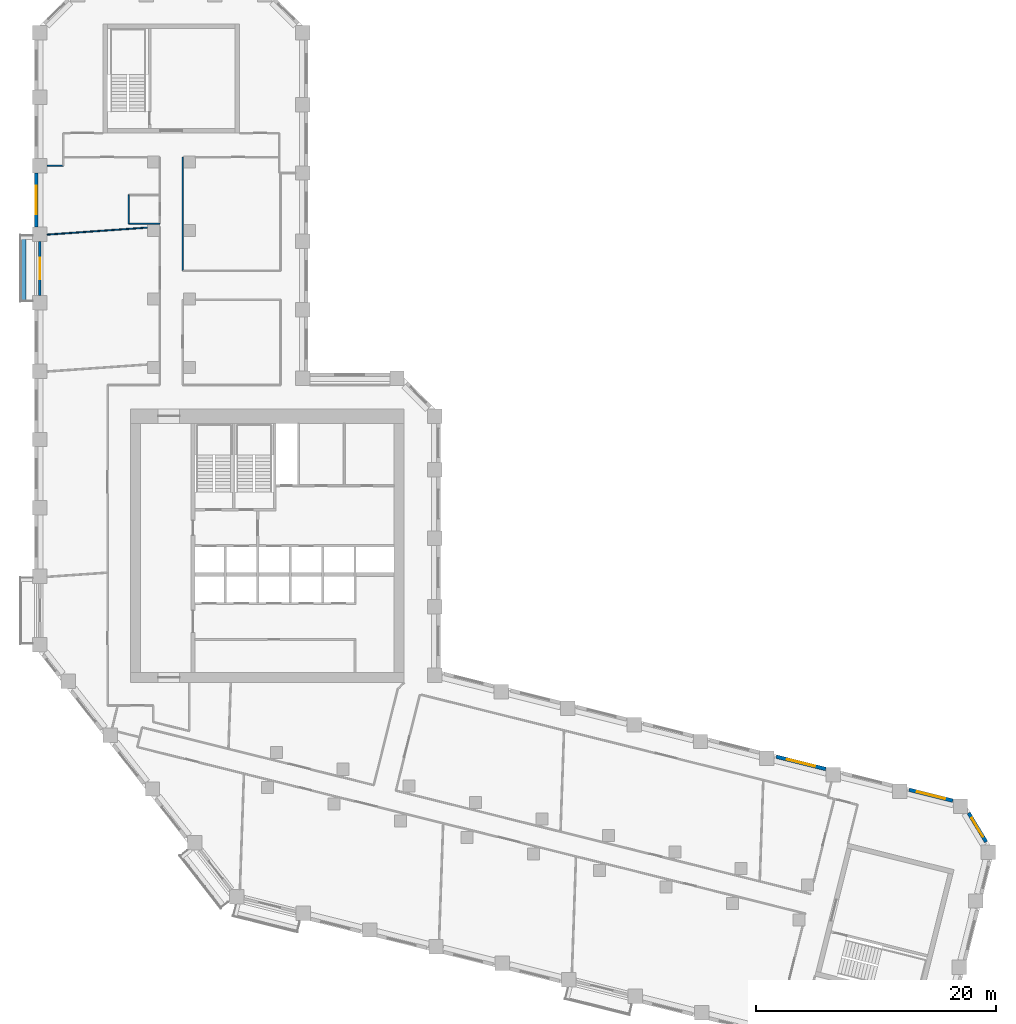
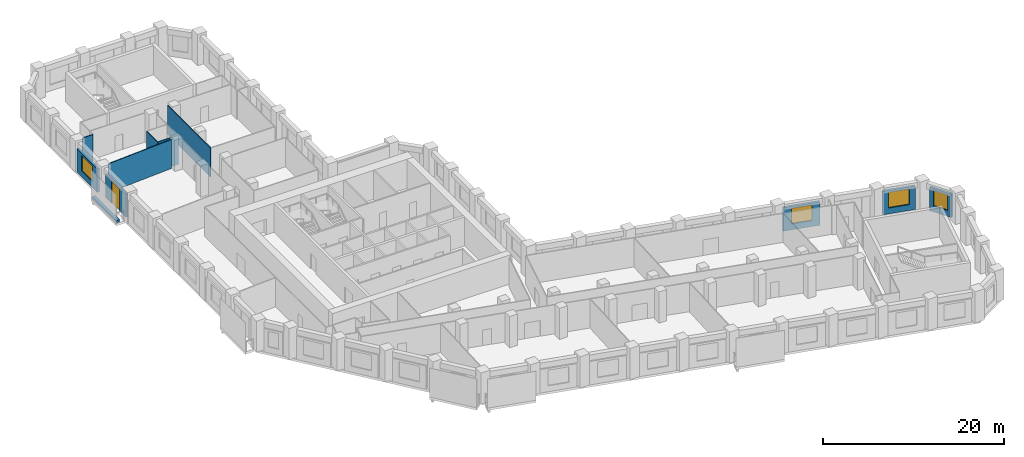
# One storey, part 7 of 10: 11 walls, 4 windows, 1 door, 5 openings.
"""IFC4 building model written with IfcOpenShell, lengths in metres."""

from ifc_helpers import new_model, si_unit, direction, frame, frame_2d, origin, place, context, subcontext, project, spatial, rectangle, extrude, material, layer, layer_set, type_object, element, fill, save


model = new_model("IFC4")

# Units and contexts
model_context = context("Model", 3, precision=1e-05, world=origin(), true_north=direction((0.0, 1.0)))
body_context = subcontext(model_context, "Body", "Model", "MODEL_VIEW")
ifc_project = project(units=[si_unit("LENGTHUNIT", "METRE"), si_unit("AREAUNIT", "SQUARE_METRE"), si_unit("VOLUMEUNIT", "CUBIC_METRE"), si_unit("PLANEANGLEUNIT", "RADIAN"), si_unit("MASSUNIT", "GRAM", prefix="KILO")], contexts=[model_context])

# Site, building, storey
site_placement = place(None, origin())
site = spatial("IfcSite", under=ifc_project, at=site_placement, CompositionType="ELEMENT")
building_placement = place(site_placement, origin())
building = spatial("IfcBuilding", under=site, at=building_placement, Name="Meshkara Civic Tower", CompositionType="ELEMENT")
storey_placement = place(building_placement, frame((0.0, 0.0, 169.800048828125)))
storey = spatial("IfcBuildingStorey", under=building, at=storey_placement, Name="L38", CompositionType="ELEMENT", Elevation=169.800048828125)

# Wall
ifc_material_1 = material(Name="Corridor wall 100")
ifc_layer_1 = layer(ifc_material_1, 0.10009765625)
ifc_layer_set_1 = layer_set([ifc_layer_1], Name="Corridor wall 100")
wall_type_1 = type_object("IfcWallType", Name="Corridor wall 100", PredefinedType="PARTITIONING", material=ifc_layer_set_1)
wall_1_placement = place(storey_placement, frame((12.35009765625, 48.39990234375, 0.0), z_axis=(0.0, 0.0, 1.0), x_axis=(0.0, 1.0, 0.0)))
element("IfcWall", 1, at=wall_1_placement, inside=storey, type_object=wall_type_1, Name="L38-W015", PredefinedType="PARTITIONING", context=body_context, shape_type="SweptSolid", body=[
    extrude(rectangle(XDim=9.47021484375, YDim=0.10009765625, at=frame_2d((4.735107421875, 0.0))), origin(), (0.0, 0.0, 1.0), 3.89990234375),
])

# Wall, opening, window
ifc_material_2 = material(Name="Insulated infill panel with bronze anodised aluminium cladding", Category="aluminium")
ifc_layer_2 = layer(ifc_material_2, 0.300048828125)
ifc_layer_set_2 = layer_set([ifc_layer_2], Name="EXTERNAL INFILL WALL 300")
wall_type_2 = type_object("IfcWallType", Name="EXTERNAL INFILL WALL 300", PredefinedType="SOLIDWALL", material=ifc_layer_set_2)
wall_2_placement = place(storey_placement, frame((76.491943359375, 4.27197265625, 0.0), z_axis=(0.0, 0.0, 1.0), x_axis=(-0.970348377394, 0.241710625521, 0.0)))
wall_2 = element("IfcWall", 2, at=wall_2_placement, inside=storey, type_object=wall_type_2, Name="External wall", PredefinedType="SOLIDWALL", context=body_context, shape_type="SweptSolid", body=[
    extrude(rectangle(XDim=3.760498046875, YDim=0.300048828125, at=frame_2d((1.88037109375, 0.0))), origin(), (0.0, 0.0, 1.0), 3.14990234375),
])
opening_1_placement = place(wall_2_placement, frame((0.679931640625, 0.0, 0.800048828125)))
opening_1 = element("IfcOpeningElement", 3, at=opening_1_placement, cuts=wall_2, Name="Opening W7", PredefinedType="OPENING", context=body_context, shape_type="SweptSolid", body=[
    extrude(rectangle(XDim=2.39990234375, YDim=2.10009765625, at=frame_2d((1.199951171875, 1.050048828125))), frame((0.0, 0.159912109375, 0.0), z_axis=(0.0, -1.0, 0.0), x_axis=(1.0, 0.0, 0.0)), (0.0, 0.0, 1.0), 0.320068359375),
])
ifc_material_3 = material(Name="Tinted double glazing", Category="glass")
window_type_1 = type_object("IfcWindowType", Name="WINDOW 2400x2100", PartitioningType="DOUBLE_PANEL_VERTICAL", PredefinedType="WINDOW", material=ifc_material_3)
window_1_placement = place(opening_1_placement, origin())
window_1 = element("IfcWindow", 4, at=window_1_placement, inside=storey, type_object=window_type_1, Name="Window", OverallHeight=2.10009765625, OverallWidth=2.39990234375, PartitioningType="DOUBLE_PANEL_VERTICAL", PredefinedType="WINDOW", context=body_context, shape_type="SweptSolid", body=[
    extrude(rectangle(XDim=2.39990234375, YDim=2.10009765625, at=frame_2d((1.199951171875, 1.050048828125))), frame((0.0, 0.030029296875, 0.0), z_axis=(0.0, -1.0, 0.0), x_axis=(1.0, 0.0, 0.0)), (0.0, 0.0, 1.0), 0.06005859375),
])
fill(opening_1, window_1)

wall_3_placement = place(storey_placement, frame((65.90087890625, 6.912109375, 0.0), z_axis=(0.0, 0.0, 1.0), x_axis=(-0.970260760633, 0.242062091986, 0.0)))
wall_3 = element("IfcWall", 5, at=wall_3_placement, inside=storey, type_object=wall_type_2, Name="External wall", PredefinedType="SOLIDWALL", context=body_context, shape_type="SweptSolid", body=[
    extrude(rectangle(XDim=4.24609375, YDim=0.300048828125, at=frame_2d((2.123046875, 0.0))), origin(), (0.0, 0.0, 1.0), 3.14990234375),
])
opening_2_placement = place(wall_3_placement, frame((0.923095703125, 0.0, 0.800048828125)))
opening_2 = element("IfcOpeningElement", 6, at=opening_2_placement, cuts=wall_3, Name="Opening W7", PredefinedType="OPENING", context=body_context, shape_type="SweptSolid", body=[
    extrude(rectangle(XDim=2.39990234375, YDim=2.10009765625, at=frame_2d((1.199951171875, 1.050048828125))), frame((0.0, 0.159912109375, 0.0), z_axis=(0.0, -1.0, 0.0), x_axis=(1.0, 0.0, 0.0)), (0.0, 0.0, 1.0), 0.320068359375),
])
window_2_placement = place(opening_2_placement, origin())
window_2 = element("IfcWindow", 7, at=window_2_placement, inside=storey, type_object=window_type_1, Name="Window", OverallHeight=2.10009765625, OverallWidth=2.39990234375, PartitioningType="DOUBLE_PANEL_VERTICAL", PredefinedType="WINDOW", context=body_context, shape_type="SweptSolid", body=[
    extrude(rectangle(XDim=2.39990234375, YDim=2.10009765625, at=frame_2d((1.199951171875, 1.050048828125))), frame((0.0, 0.030029296875, 0.0), z_axis=(0.0, -1.0, 0.0), x_axis=(1.0, 0.0, 0.0)), (0.0, 0.0, 1.0), 0.06005859375),
])
fill(opening_2, window_2)

wall_4_placement = place(storey_placement, frame((0.14990234375, 56.554931640625, 0.0), z_axis=(0.0, 0.0, 1.0), x_axis=(0.0, -1.0, 0.0)))
wall_4 = element("IfcWall", 8, at=wall_4_placement, inside=storey, type_object=wall_type_2, Name="External wall", PredefinedType="SOLIDWALL", context=body_context, shape_type="SweptSolid", body=[
    extrude(rectangle(XDim=4.5, YDim=0.300048828125, at=frame_2d((2.25, 0.0))), origin(), (0.0, 0.0, 1.0), 3.14990234375),
])
opening_3_placement = place(wall_4_placement, frame((1.050048828125, 0.0, 0.800048828125)))
opening_3 = element("IfcOpeningElement", 9, at=opening_3_placement, cuts=wall_4, Name="Opening W7", PredefinedType="OPENING", context=body_context, shape_type="SweptSolid", body=[
    extrude(rectangle(XDim=2.39990234375, YDim=2.10009765625, at=frame_2d((1.199951171875, 1.050048828125))), frame((0.0, 0.159912109375, 0.0), z_axis=(0.0, -1.0, 0.0), x_axis=(1.0, 0.0, 0.0)), (0.0, 0.0, 1.0), 0.320068359375),
])
window_3_placement = place(opening_3_placement, origin())
window_3 = element("IfcWindow", 10, at=window_3_placement, inside=storey, type_object=window_type_1, Name="Window", OverallHeight=2.10009765625, OverallWidth=2.39990234375, PartitioningType="DOUBLE_PANEL_VERTICAL", PredefinedType="WINDOW", context=body_context, shape_type="SweptSolid", body=[
    extrude(rectangle(XDim=2.39990234375, YDim=2.10009765625, at=frame_2d((1.199951171875, 1.050048828125))), frame((0.0, 0.030029296875, 0.0), z_axis=(0.0, -1.0, 0.0), x_axis=(1.0, 0.0, 0.0)), (0.0, 0.0, 1.0), 0.06005859375),
])
fill(opening_3, window_3)

wall_5_placement = place(storey_placement, frame((79.257080078125, 0.839111328125, 0.0), z_axis=(0.0, 0.0, 1.0), x_axis=(-0.514992914014, 0.857194434487, 0.0)))
wall_5 = element("IfcWall", 11, at=wall_5_placement, inside=storey, type_object=wall_type_2, Name="External wall", PredefinedType="SOLIDWALL", context=body_context, shape_type="SweptSolid", body=[
    extrude(rectangle(XDim=2.81591796875, YDim=0.300048828125, at=frame_2d((1.407958984375, 0.0))), origin(), (0.0, 0.0, 1.0), 3.14990234375),
])
opening_4_placement = place(wall_5_placement, frame((0.508056640625, 0.0, 0.800048828125)))
opening_4 = element("IfcOpeningElement", 12, at=opening_4_placement, cuts=wall_5, Name="Opening W9", PredefinedType="OPENING", context=body_context, shape_type="SweptSolid", body=[
    extrude(rectangle(XDim=1.800048828125, YDim=2.10009765625, at=frame_2d((0.89990234375, 1.050048828125))), frame((0.0, 0.159912109375, 0.0), z_axis=(0.0, -1.0, 0.0), x_axis=(1.0, 0.0, 0.0)), (0.0, 0.0, 1.0), 0.320068359375),
])
ifc_material_4 = material(Name="Tinted double glazing", Category="glass")
window_type_2 = type_object("IfcWindowType", Name="WINDOW 1800x2100", PartitioningType="DOUBLE_PANEL_VERTICAL", PredefinedType="WINDOW", material=ifc_material_4)
window_4_placement = place(opening_4_placement, origin())
window_4 = element("IfcWindow", 13, at=window_4_placement, inside=storey, type_object=window_type_2, Name="Window", OverallHeight=2.10009765625, OverallWidth=1.800048828125, PartitioningType="DOUBLE_PANEL_VERTICAL", PredefinedType="WINDOW", context=body_context, shape_type="SweptSolid", body=[
    extrude(rectangle(XDim=1.800048828125, YDim=2.10009765625, at=frame_2d((0.89990234375, 1.050048828125))), frame((0.0, 0.030029296875, 0.0), z_axis=(0.0, -1.0, 0.0), x_axis=(1.0, 0.0, 0.0)), (0.0, 0.0, 1.0), 0.06005859375),
])
fill(opening_4, window_4)

# Wall, opening, door
ifc_material_5 = material(Name="Insulated infill panel with bronze anodised aluminium cladding", Category="aluminium")
ifc_layer_3 = layer(ifc_material_5, 0.199951171875)
ifc_layer_set_3 = layer_set([ifc_layer_3], Name="LOGGIA BACK WALL 200")
wall_type_3 = type_object("IfcWallType", Name="LOGGIA BACK WALL 200", PredefinedType="SOLIDWALL", material=ifc_layer_set_3)
wall_6_placement = place(storey_placement, frame((0.449951171875, 50.85498046875, 0.0), z_axis=(0.0, 0.0, 1.0), x_axis=(0.0, -1.0, 0.0)))
wall_6 = element("IfcWall", 14, at=wall_6_placement, inside=storey, type_object=wall_type_3, Name="Loggia wall", PredefinedType="SOLIDWALL", context=body_context, shape_type="SweptSolid", body=[
    extrude(rectangle(XDim=4.4990234375, YDim=0.199951171875, at=frame_2d((2.24951171875, 0.0))), origin(), (0.0, 0.0, 1.0), 3.14990234375),
])
opening_5_placement = place(wall_6_placement, frame((1.34912109375, 0.0, 0.0)))
opening_5 = element("IfcOpeningElement", 15, at=opening_5_placement, cuts=wall_6, Name="Opening L38-L001", PredefinedType="OPENING", context=body_context, shape_type="SweptSolid", body=[
    extrude(rectangle(XDim=1.800048828125, YDim=2.89990234375, at=frame_2d((0.89990234375, 1.449951171875))), frame((0.0, 0.10986328125, 0.0), z_axis=(0.0, -1.0, 0.0), x_axis=(1.0, 0.0, 0.0)), (0.0, 0.0, 1.0), 0.219970703125),
])
ifc_material_6 = material(Name="Tinted double glazing", Category="glass")
door_type = type_object("IfcDoorType", Name="LOGGIA DOOR 1800x2900", OperationType="DOUBLE_DOOR_SINGLE_SWING", PredefinedType="DOOR", material=ifc_material_6)
door_placement = place(opening_5_placement, origin())
door = element("IfcDoor", 16, at=door_placement, inside=storey, type_object=door_type, Name="L38-L001", OperationType="DOUBLE_DOOR_SINGLE_SWING", OverallHeight=2.89990234375, OverallWidth=1.800048828125, PredefinedType="DOOR", context=body_context, shape_type="SweptSolid", body=[
    extrude(rectangle(XDim=1.800048828125, YDim=2.89990234375, at=frame_2d((0.89990234375, 1.449951171875))), frame((0.0, 0.02490234375, 0.0), z_axis=(0.0, -1.0, 0.0), x_axis=(1.0, 0.0, 0.0)), (0.0, 0.0, 1.0), 0.050048828125),
])
fill(opening_5, door)

# Walls
ifc_material_7 = material(Name="Concrete C40", Category="concrete")
ifc_layer_4 = layer(ifc_material_7, 0.39990234375)
ifc_layer_set_4 = layer_set([ifc_layer_4], Name="PLANTER TRAY")
wall_type_4 = type_object("IfcWallType", Name="PLANTER TRAY", PredefinedType="SOLIDWALL", material=ifc_layer_set_4)
wall_7_placement = place(storey_placement, frame((-0.8798828125, 51.284912109375, 0.0), z_axis=(0.0, 0.0, 1.0), x_axis=(0.0, -1.0, 0.0)))
element("IfcWall", 17, at=wall_7_placement, inside=storey, type_object=wall_type_4, Name="Planter", PredefinedType="SOLIDWALL", context=body_context, shape_type="SweptSolid", body=[
    extrude(rectangle(XDim=5.35986328125, YDim=0.39990234375, at=frame_2d((2.679931640625, 0.0))), origin(), (0.0, 0.0, 1.0), 0.300048828125),
])
ifc_material_8 = material(Name="Partition 100")
ifc_layer_5 = layer(ifc_material_8, 0.10009765625)
ifc_layer_set_5 = layer_set([ifc_layer_5], Name="Partition 100")
wall_type_5 = type_object("IfcWallType", Name="Partition 100", PredefinedType="PARTITIONING", material=ifc_layer_set_5)
wall_8_placement = place(storey_placement, frame((2.39990234375, 57.155029296875, 0.0), z_axis=(0.0, 0.0, 1.0), x_axis=(-1.0, 0.0, 0.0)))
element("IfcWall", 18, at=wall_8_placement, inside=storey, type_object=wall_type_5, Name="L38-W039", PredefinedType="PARTITIONING", context=body_context, shape_type="SweptSolid", body=[
    extrude(rectangle(XDim=1.349853515625, YDim=0.10009765625, at=frame_2d((0.6748046875, 0.0))), origin(), (0.0, 0.0, 1.0), 3.89990234375),
])
wall_9_placement = place(storey_placement, frame((7.85009765625, 52.320068359375, 0.0), z_axis=(0.0, 0.0, 1.0), x_axis=(0.0, 1.0, 0.0)))
element("IfcWall", 19, at=wall_9_placement, inside=storey, type_object=wall_type_5, Name="L38-W043", PredefinedType="PARTITIONING", context=body_context, shape_type="SweptSolid", body=[
    extrude(rectangle(XDim=2.39990234375, YDim=0.10009765625, at=frame_2d((1.199951171875, 0.0))), origin(), (0.0, 0.0, 1.0), 3.89990234375),
])
wall_10_placement = place(storey_placement, frame((9.39990234375, 52.0009765625, 0.0), z_axis=(0.0, 0.0, 1.0), x_axis=(-0.997555044264, -0.069885146225, 0.0)))
element("IfcWall", 20, at=wall_10_placement, inside=storey, type_object=wall_type_5, Name="L38-W047", PredefinedType="PARTITIONING", context=body_context, shape_type="SweptSolid", body=[
    extrude(rectangle(XDim=8.370361328125, YDim=0.10009765625, at=frame_2d((4.18505859375, 0.0))), origin(), (0.0, 0.0, 1.0), 3.89990234375),
])
wall_11_placement = place(storey_placement, frame((10.449951171875, 52.320068359375, 0.0), z_axis=(0.0, 0.0, 1.0), x_axis=(-1.0, 0.0, 0.0)))
element("IfcWall", 21, at=wall_11_placement, inside=storey, type_object=wall_type_5, Name="L38-W048", PredefinedType="PARTITIONING", context=body_context, shape_type="SweptSolid", body=[
    extrude(rectangle(XDim=2.599853515625, YDim=0.10009765625, at=frame_2d((1.2998046875, 0.0))), origin(), (0.0, 0.0, 1.0), 3.89990234375),
])

save(model, "model.ifc")
